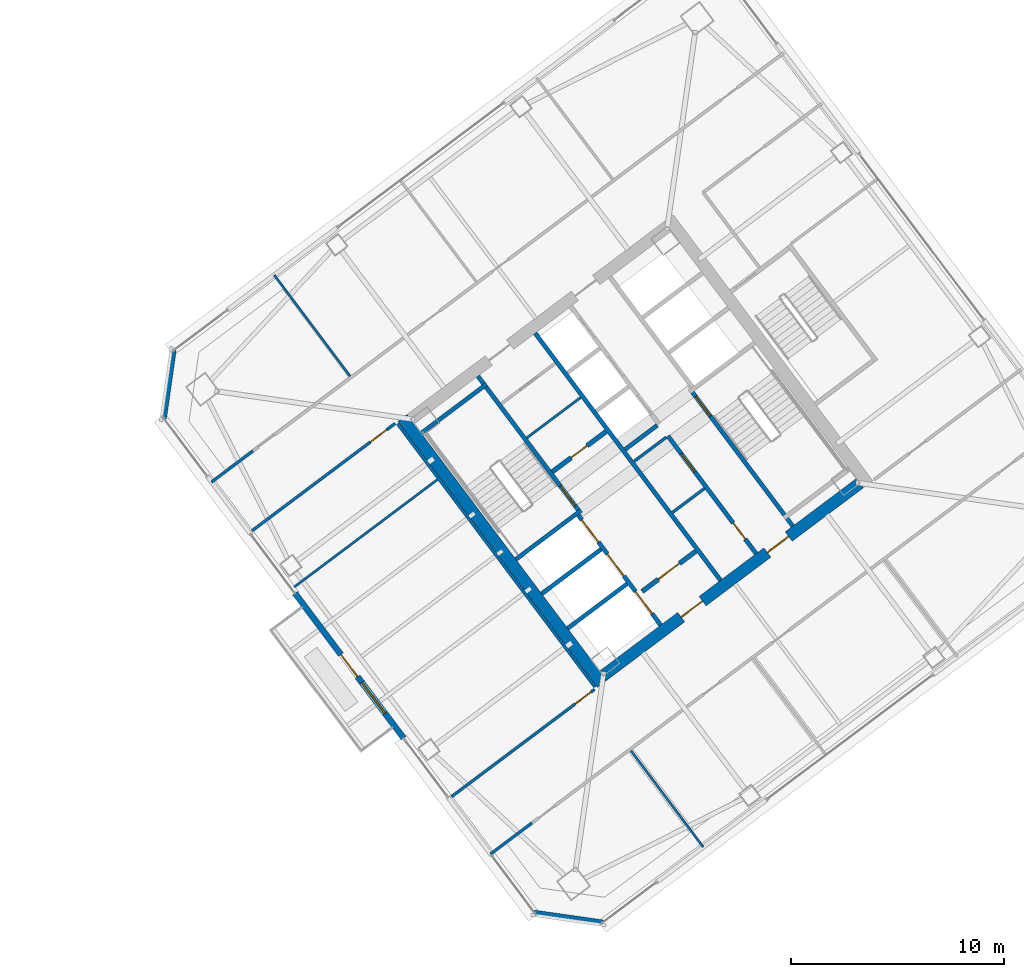
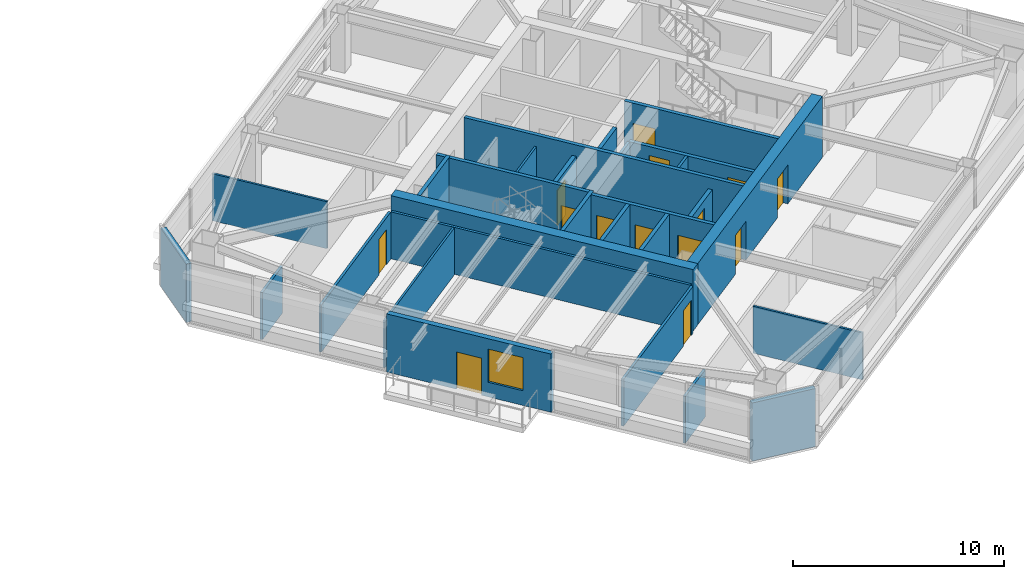
# One storey, part 33 of 41: 28 walls, 14 doors, 1 window, 15 openings.
"""IFC4 building model written with IfcOpenShell, lengths in metres."""

from ifc_helpers import new_model, si_unit, direction, frame, frame_2d, origin, place, context, subcontext, project, spatial, rectangle, extrude, material, layer, layer_set, type_object, element, fill, save


model = new_model("IFC4")

# Units and contexts
model_context = context("Model", 3, precision=1e-05, world=origin(), true_north=direction((0.0, 1.0)))
body_context = subcontext(model_context, "Body", "Model", "MODEL_VIEW")
ifc_project = project(units=[si_unit("LENGTHUNIT", "METRE"), si_unit("AREAUNIT", "SQUARE_METRE"), si_unit("VOLUMEUNIT", "CUBIC_METRE"), si_unit("PLANEANGLEUNIT", "RADIAN"), si_unit("MASSUNIT", "GRAM", prefix="KILO")], contexts=[model_context])

# Site, building, storey
site_placement = place(None, origin())
site = spatial("IfcSite", under=ifc_project, at=site_placement, CompositionType="ELEMENT")
building_placement = place(site_placement, origin())
building = spatial("IfcBuilding", under=site, at=building_placement, Name="Tashvorn Skyway Center", CompositionType="ELEMENT")
storey_placement = place(building_placement, frame((0.0, 0.0, 171.199951171875)))
storey = spatial("IfcBuildingStorey", under=building, at=storey_placement, Name="L46", CompositionType="ELEMENT", Elevation=171.199951171875)

# Wall
ifc_material_1 = material(Name="Concrete C60/75", Category="concrete")
ifc_layer_1 = layer(ifc_material_1, 0.550048828125)
ifc_layer_set_1 = layer_set([ifc_layer_1], Name="Concrete C60/75")
wall_type_1 = type_object("IfcWallType", Name="WALL-CORE-550", PredefinedType="SHEAR", material=ifc_layer_set_1)
wall_1_placement = place(storey_placement, frame((112.43603515625, 21.076904296875, 0.0), z_axis=(0.0, 0.0, 1.0), x_axis=(-0.600005007985, 0.799996243986, 0.0)))
element("IfcWall", 1, at=wall_1_placement, inside=storey, type_object=wall_type_1, Name="Tower 2 L46 West Core Shear Wall", PredefinedType="SHEAR", context=body_context, shape_type="SweptSolid", body=[
    extrude(rectangle(XDim=15.60009765625, YDim=0.550048828125, at=frame_2d((7.800048828125, 0.0))), origin(), (0.0, 0.0, 1.0), 3.550048828125),
])

# Wall, openings, doors
wall_2_placement = place(storey_placement, frame((124.5390625, 30.498046875, 0.0), z_axis=(0.0, 0.0, 1.0), x_axis=(-0.799998054672, -0.600002593761, 0.0)))
wall_2 = element("IfcWall", 2, at=wall_2_placement, inside=storey, type_object=wall_type_1, Name="Tower 2 L46 South Core Shear Wall", PredefinedType="SHEAR", context=body_context, shape_type="SweptSolid", body=[
    extrude(rectangle(XDim=15.06005859375, YDim=0.550048828125, at=frame_2d((7.530029296875, 0.0))), origin(), (0.0, 0.0, 1.0), 3.550048828125),
])
opening_1_placement = place(wall_2_placement, frame((9.22998046875, 0.0, 0.0)))
opening_1 = element("IfcOpeningElement", 3, at=opening_1_placement, cuts=wall_2, Name="Opening D-FFL-1250", PredefinedType="OPENING", context=body_context, shape_type="SweptSolid", body=[
    extrude(rectangle(XDim=1.25, YDim=2.25, at=frame_2d((0.625, 1.125))), frame((0.0, 0.284912109375, 0.0), z_axis=(0.0, -1.0, 0.0), x_axis=(1.0, 0.0, 0.0)), (0.0, 0.0, 1.0), 0.570068359375),
])
opening_2_placement = place(wall_2_placement, frame((4.179931640625, 0.0, 0.0)))
opening_2 = element("IfcOpeningElement", 4, at=opening_2_placement, cuts=wall_2, Name="Opening D-FFL-1250", PredefinedType="OPENING", context=body_context, shape_type="SweptSolid", body=[
    extrude(rectangle(XDim=1.25, YDim=2.25, at=frame_2d((0.625, 1.125))), frame((0.0, 0.284912109375, 0.0), z_axis=(0.0, -1.0, 0.0), x_axis=(1.0, 0.0, 0.0)), (0.0, 0.0, 1.0), 0.570068359375),
])
ifc_material_2 = material(Name="Hollow galvanized steel fire door assembly", Category="steel")
door_type_1 = type_object("IfcDoorType", Name="DOOR-FFL-1250", OperationType="NOTDEFINED", PredefinedType="DOOR", material=ifc_material_2)
door_1_placement = place(opening_1_placement, origin())
door_1 = element("IfcDoor", 5, at=door_1_placement, inside=storey, type_object=door_type_1, Name="Tower 2 L46 Core South Firefighting Exit Door", OperationType="SINGLE_SWING_LEFT", OverallHeight=2.25, OverallWidth=1.25, PredefinedType="DOOR", context=body_context, shape_type="SweptSolid", body=[
    extrude(rectangle(XDim=1.25, YDim=2.25, at=frame_2d((0.625, 1.125))), frame((0.0, 0.02490234375, 0.0), z_axis=(0.0, -1.0, 0.0), x_axis=(1.0, 0.0, 0.0)), (0.0, 0.0, 1.0), 0.050048828125),
])
fill(opening_1, door_1)
door_2_placement = place(opening_2_placement, origin())
door_2 = element("IfcDoor", 6, at=door_2_placement, inside=storey, type_object=door_type_1, Name="Tower 2 L46 Core South Lift Lobby Door", OperationType="SINGLE_SWING_RIGHT", OverallHeight=2.25, OverallWidth=1.25, PredefinedType="DOOR", context=body_context, shape_type="SweptSolid", body=[
    extrude(rectangle(XDim=1.25, YDim=2.25, at=frame_2d((0.625, 1.125))), frame((0.0, 0.02490234375, 0.0), z_axis=(0.0, -1.0, 0.0), x_axis=(1.0, 0.0, 0.0)), (0.0, 0.0, 1.0), 0.050048828125),
])
fill(opening_2, door_2)

# Wall, openings, door, window
ifc_material_3 = material(Name="Precast concrete C40/50", Category="concrete")
ifc_layer_2 = layer(ifc_material_3, 0.280029296875)
ifc_layer_set_2 = layer_set([ifc_layer_2], Name="Precast concrete C40/50")
wall_type_2 = type_object("IfcWallType", Name="WALL-EXT-280", PredefinedType="SOLIDWALL", material=ifc_layer_set_2)
wall_3_placement = place(storey_placement, frame((103.1259765625, 18.531982421875, 0.0), z_axis=(0.0, 0.0, 1.0), x_axis=(-0.600004595526, 0.799996553335, 0.0)))
wall_3 = element("IfcWall", 7, at=wall_3_placement, inside=storey, type_object=wall_type_2, Name="Tower 2 L46 West Terrace Portal Wall", PredefinedType="SOLIDWALL", context=body_context, shape_type="SweptSolid", body=[
    extrude(rectangle(XDim=8.5, YDim=0.280029296875, at=frame_2d((4.25, 0.0))), origin(), (0.0, 0.0, 1.0), 3.3701171875),
])
opening_3_placement = place(wall_3_placement, frame((3.60009765625, 0.0, 0.0)))
opening_3 = element("IfcOpeningElement", 8, at=opening_3_placement, cuts=wall_3, Name="Opening D-TER-1300", PredefinedType="OPENING", context=body_context, shape_type="SweptSolid", body=[
    extrude(rectangle(XDim=1.300048828125, YDim=2.14990234375, at=frame_2d((0.64990234375, 1.074951171875))), frame((0.0, 0.14990234375, 0.0), z_axis=(0.0, -1.0, 0.0), x_axis=(1.0, 0.0, 0.0)), (0.0, 0.0, 1.0), 0.300048828125),
])
opening_4_placement = place(wall_3_placement, frame((1.4599609375, 0.0, 0.85009765625)))
opening_4 = element("IfcOpeningElement", 9, at=opening_4_placement, cuts=wall_3, Name="Opening WIN-1800", PredefinedType="OPENING", context=body_context, shape_type="SweptSolid", body=[
    extrude(rectangle(XDim=1.800048828125, YDim=1.919921875, at=frame_2d((0.89990234375, 0.9599609375))), frame((0.0, 0.14990234375, 0.0), z_axis=(0.0, -1.0, 0.0), x_axis=(1.0, 0.0, 0.0)), (0.0, 0.0, 1.0), 0.300048828125),
])
ifc_material_4 = material(Name="Thermally broken bronze-anodized aluminium 6063-T6", Category="aluminium")
door_type_2 = type_object("IfcDoorType", Name="DOOR-TERR-1300", OperationType="NOTDEFINED", PredefinedType="DOOR", material=ifc_material_4)
door_3_placement = place(opening_3_placement, origin())
door_3 = element("IfcDoor", 10, at=door_3_placement, inside=storey, type_object=door_type_2, Name="Tower 2 L46 Terrace Access Door", OperationType="SINGLE_SWING_LEFT", OverallHeight=2.14990234375, OverallWidth=1.300048828125, PredefinedType="DOOR", context=body_context, shape_type="SweptSolid", body=[
    extrude(rectangle(XDim=1.300048828125, YDim=2.14990234375, at=frame_2d((0.64990234375, 1.074951171875))), frame((0.0, 0.02490234375, 0.0), z_axis=(0.0, -1.0, 0.0), x_axis=(1.0, 0.0, 0.0)), (0.0, 0.0, 1.0), 0.050048828125),
])
fill(opening_3, door_3)
ifc_material_5 = material(Name="Low-E solar-control double insulating safety glass", Category="glass")
window_type = type_object("IfcWindowType", Name="WIN-TERR-1800", PartitioningType="SINGLE_PANEL", PredefinedType="WINDOW", material=ifc_material_5)
window_placement = place(opening_4_placement, origin())
window = element("IfcWindow", 11, at=window_placement, inside=storey, type_object=window_type, Name="Tower 2 L46 Terrace Window", OverallHeight=1.919921875, OverallWidth=1.800048828125, PartitioningType="SINGLE_PANEL", PredefinedType="WINDOW", context=body_context, shape_type="SweptSolid", body=[
    extrude(rectangle(XDim=1.800048828125, YDim=1.919921875, at=frame_2d((0.89990234375, 0.9599609375))), frame((0.0, 0.030029296875, 0.0), z_axis=(0.0, -1.0, 0.0), x_axis=(1.0, 0.0, 0.0)), (0.0, 0.0, 1.0), 0.06005859375),
])
fill(opening_4, window)

# Walls
for number, where, z_axis, x_axis, name in (
    (12, (112.47998046875, 9.860107421875, 0.0), (0.0, 0.0, 1.0), (-0.989950994782, 0.141410847992, 0.0), "Tower 2 L46 SW Precast Chamfer Wall"),
    (13, (91.860107421875, 33.52001953125, 0.0), (0.0, 0.0, 1.0), (0.141410847992, 0.989950994782, 0.0), "Tower 2 L46 NW Precast Chamfer Wall"),
):
    element("IfcWall", number, at=place(storey_placement, frame(where, z_axis=z_axis, x_axis=x_axis)), inside=storey, type_object=wall_type_2, Name=name, PredefinedType="SOLIDWALL", context=body_context, shape_type="SweptSolid", body=[
        extrude(rectangle(XDim=3.252685546875, YDim=0.280029296875, at=frame_2d((1.62646484375, 0.0))), origin(), (0.0, 0.0, 1.0), 3.3701171875),
    ])

# Wall, opening, door
ifc_material_6 = material(Name="Concrete C40/50", Category="concrete")
ifc_layer_3 = layer(ifc_material_6, 0.219970703125)
ifc_layer_set_3 = layer_set([ifc_layer_3], Name="Concrete C40/50")
wall_type_3 = type_object("IfcWallType", Name="WALL-FFL-220", PredefinedType="SOLIDWALL", material=ifc_layer_set_3)
wall_4_placement = place(storey_placement, frame((110.10400390625, 31.028076171875, 0.0), z_axis=(0.0, 0.0, 1.0), x_axis=(0.800018601094, 0.59997519774, 0.0)))
wall_4 = element("IfcWall", 14, at=wall_4_placement, inside=storey, type_object=wall_type_3, Name="Tower 2 L46 Firefighting Lobby North Wall", PredefinedType="SOLIDWALL", context=body_context, shape_type="SweptSolid", body=[
    extrude(rectangle(XDim=3.14990234375, YDim=0.219970703125, at=frame_2d((1.574951171875, 0.0))), origin(), (0.0, 0.0, 1.0), 2.72314453125),
])
opening_5_placement = place(wall_4_placement, frame((1.10009765625, 0.0, 0.0)))
opening_5 = element("IfcOpeningElement", 15, at=opening_5_placement, cuts=wall_4, Name="Opening D-RT-950", PredefinedType="OPENING", context=body_context, shape_type="SweptSolid", body=[
    extrude(rectangle(XDim=0.949951171875, YDim=2.050048828125, at=frame_2d((0.47509765625, 1.02490234375))), frame((0.0, 0.119873046875, 0.0), z_axis=(0.0, -1.0, 0.0), x_axis=(1.0, 0.0, 0.0)), (0.0, 0.0, 1.0), 0.239990234375),
])
door_type_3 = type_object("IfcDoorType", Name="DOOR-RATED-950", OperationType="NOTDEFINED", PredefinedType="DOOR", material=ifc_material_2)
door_4_placement = place(opening_5_placement, origin())
door_4 = element("IfcDoor", 16, at=door_4_placement, inside=storey, type_object=door_type_3, Name="Tower 2 L46 Core Linen Store Door", OperationType="SINGLE_SWING_LEFT", OverallHeight=2.050048828125, OverallWidth=0.949951171875, PredefinedType="DOOR", context=body_context, shape_type="SweptSolid", body=[
    extrude(rectangle(XDim=0.949951171875, YDim=2.050048828125, at=frame_2d((0.47509765625, 1.02490234375))), frame((0.0, 0.02490234375, 0.0), z_axis=(0.0, -1.0, 0.0), x_axis=(1.0, 0.0, 0.0)), (0.0, 0.0, 1.0), 0.050048828125),
])
fill(opening_5, door_4)

wall_5_placement = place(storey_placement, frame((114.31591796875, 25.412109375, 0.0), z_axis=(0.0, 0.0, 1.0), x_axis=(0.800018601094, 0.59997519774, 0.0)))
wall_5 = element("IfcWall", 17, at=wall_5_placement, inside=storey, type_object=wall_type_3, Name="Tower 2 L46 Firefighting Lobby South Wall", PredefinedType="SOLIDWALL", context=body_context, shape_type="SweptSolid", body=[
    extrude(rectangle(XDim=3.14990234375, YDim=0.219970703125, at=frame_2d((1.574951171875, 0.0))), origin(), (0.0, 0.0, 1.0), 2.72314453125),
])
opening_6_placement = place(wall_5_placement, frame((0.949951171875, 0.0, 0.0)))
opening_6 = element("IfcOpeningElement", 18, at=opening_6_placement, cuts=wall_5, Name="Opening D-FFL-1250", PredefinedType="OPENING", context=body_context, shape_type="SweptSolid", body=[
    extrude(rectangle(XDim=1.25, YDim=2.25, at=frame_2d((0.625, 1.125))), frame((0.0, 0.119873046875, 0.0), z_axis=(0.0, -1.0, 0.0), x_axis=(1.0, 0.0, 0.0)), (0.0, 0.0, 1.0), 0.239990234375),
])
door_5_placement = place(opening_6_placement, origin())
door_5 = element("IfcDoor", 19, at=door_5_placement, inside=storey, type_object=door_type_1, Name="Tower 2 L46 Firefighting Lobby Egress Door", OperationType="SINGLE_SWING_LEFT", OverallHeight=2.25, OverallWidth=1.25, PredefinedType="DOOR", context=body_context, shape_type="SweptSolid", body=[
    extrude(rectangle(XDim=1.25, YDim=2.25, at=frame_2d((0.625, 1.125))), frame((0.0, 0.02490234375, 0.0), z_axis=(0.0, -1.0, 0.0), x_axis=(1.0, 0.0, 0.0)), (0.0, 0.0, 1.0), 0.050048828125),
])
fill(opening_6, door_5)

# Walls
ifc_material_7 = material(Name="Gypsum board on cold-formed steel stud framing", Category="steel")
ifc_layer_4 = layer(ifc_material_7, 0.110107421875)
ifc_layer_set_4 = layer_set([ifc_layer_4], Name="Gypsum board on cold-formed steel stud framing")
wall_type_4 = type_object("IfcWallType", Name="WALL-PART-110", PredefinedType="PARTITIONING", material=ifc_layer_set_4)
wall_6_placement = place(storey_placement, frame((100.610107421875, 35.52001953125, 0.0), z_axis=(0.0, 0.0, 1.0), x_axis=(-0.600019761686, 0.799985178354, 0.0)))
element("IfcWall", 20, at=wall_6_placement, inside=storey, type_object=wall_type_4, Name="Tower 2 L46 North Suite Partition 1", PredefinedType="PARTITIONING", context=body_context, shape_type="SweptSolid", body=[
    extrude(rectangle(XDim=5.929931640625, YDim=0.110107421875, at=frame_2d((2.96484375, 0.0))), origin(), (0.0, 0.0, 1.0), 2.72314453125),
])
wall_7_placement = place(storey_placement, frame((117.18798828125, 13.416015625, 0.0), z_axis=(0.0, 0.0, 1.0), x_axis=(-0.599986172357, 0.800010370545, 0.0)))
element("IfcWall", 21, at=wall_7_placement, inside=storey, type_object=wall_type_4, Name="Tower 2 L46 South Suite Partition 1", PredefinedType="PARTITIONING", context=body_context, shape_type="SweptSolid", body=[
    extrude(rectangle(XDim=5.64990234375, YDim=0.110107421875, at=frame_2d((2.824951171875, 0.0))), origin(), (0.0, 0.0, 1.0), 2.72314453125),
])
wall_8_placement = place(storey_placement, frame((97.99609375, 25.6220703125, 0.0), z_axis=(0.0, 0.0, 1.0), x_axis=(0.8, 0.6, 0.0)))
element("IfcWall", 22, at=wall_8_placement, inside=storey, type_object=wall_type_4, Name="Tower 2 L46 West Mid Partition", PredefinedType="PARTITIONING", context=body_context, shape_type="SweptSolid", body=[
    extrude(rectangle(XDim=8.389892578125, YDim=0.110107421875, at=frame_2d((4.19482421875, 0.0))), origin(), (0.0, 0.0, 1.0), 2.72314453125),
])
ifc_layer_5 = layer(ifc_material_7, 0.135009765625)
ifc_layer_set_5 = layer_set([ifc_layer_5], Name="Gypsum board on cold-formed steel stud framing")
wall_type_5 = type_object("IfcWallType", Name="WALL-PART-135", PredefinedType="PARTITIONING", material=ifc_layer_set_5)
wall_9_placement = place(storey_placement, frame((94.114013671875, 30.548095703125, 0.0), z_axis=(0.0, 0.0, 1.0), x_axis=(0.800012055778, 0.599983925293, 0.0)))
element("IfcWall", 23, at=wall_9_placement, inside=storey, type_object=wall_type_5, Name="Tower 2 L46 North-West Suite South Wall", PredefinedType="PARTITIONING", context=body_context, shape_type="SweptSolid", body=[
    extrude(rectangle(XDim=2.43017578125, YDim=0.135009765625, at=frame_2d((1.215087890625, 0.0))), origin(), (0.0, 0.0, 1.0), 2.72314453125),
])
wall_10_placement = place(storey_placement, frame((107.2060546875, 13.092041015625, 0.0), z_axis=(0.0, 0.0, 1.0), x_axis=(0.799975885537, 0.600032151272, 0.0)))
element("IfcWall", 24, at=wall_10_placement, inside=storey, type_object=wall_type_5, Name="Tower 2 L46 South-West Suite North Wall", PredefinedType="PARTITIONING", context=body_context, shape_type="SweptSolid", body=[
    extrude(rectangle(XDim=2.429931640625, YDim=0.135009765625, at=frame_2d((1.21484375, 0.0))), origin(), (0.0, 0.0, 1.0), 2.72314453125),
])
wall_11_placement = place(storey_placement, frame((112.10400390625, 20.927978515625, 0.0), z_axis=(0.0, 0.0, 1.0), x_axis=(-0.599994940075, 0.800003794918, 0.0)))
element("IfcWall", 25, at=wall_11_placement, inside=storey, type_object=wall_type_5, Name="Tower 2 L46 West Inner Suite Wall", PredefinedType="PARTITIONING", context=body_context, shape_type="SweptSolid", body=[
    extrude(rectangle(XDim=15.43994140625, YDim=0.135009765625, at=frame_2d((7.719970703125, 0.0))), origin(), (0.0, 0.0, 1.0), 2.72314453125),
])

# Wall, opening, door
wall_12_placement = place(storey_placement, frame((102.72802734375, 33.2958984375, 0.0), z_axis=(0.0, 0.0, 1.0), x_axis=(-0.8, -0.6, 0.0)))
wall_12 = element("IfcWall", 26, at=wall_12_placement, inside=storey, type_object=wall_type_5, Name="Tower 2 L46 West Suite North Wall", PredefinedType="PARTITIONING", context=body_context, shape_type="SweptSolid", body=[
    extrude(rectangle(XDim=8.389892578125, YDim=0.135009765625, at=frame_2d((4.19482421875, 0.0))), origin(), (0.0, 0.0, 1.0), 2.72314453125),
])
opening_7_placement = place(wall_12_placement, frame((0.5, 0.0, 0.0)))
opening_7 = element("IfcOpeningElement", 27, at=opening_7_placement, cuts=wall_12, Name="Opening D-INT-950", PredefinedType="OPENING", context=body_context, shape_type="SweptSolid", body=[
    extrude(rectangle(XDim=0.949951171875, YDim=2.050048828125, at=frame_2d((0.47509765625, 1.02490234375))), frame((0.0, 0.077392578125, 0.0), z_axis=(0.0, -1.0, 0.0), x_axis=(1.0, 0.0, 0.0)), (0.0, 0.0, 1.0), 0.155029296875),
])
ifc_material_8 = material(Name="Solid-core architectural oak veneer door")
door_type_4 = type_object("IfcDoorType", Name="DOOR-INT-950", OperationType="NOTDEFINED", PredefinedType="DOOR", material=ifc_material_8)
door_6_placement = place(opening_7_placement, origin())
door_6 = element("IfcDoor", 28, at=door_6_placement, inside=storey, type_object=door_type_4, Name="Tower 2 L46 Catering Pantry Door", OperationType="SINGLE_SWING_RIGHT", OverallHeight=2.050048828125, OverallWidth=0.949951171875, PredefinedType="DOOR", context=body_context, shape_type="SweptSolid", body=[
    extrude(rectangle(XDim=0.949951171875, YDim=2.050048828125, at=frame_2d((0.47509765625, 1.02490234375))), frame((0.0, 0.02490234375, 0.0), z_axis=(0.0, -1.0, 0.0), x_axis=(1.0, 0.0, 0.0)), (0.0, 0.0, 1.0), 0.050048828125),
])
fill(opening_7, door_6)

wall_13_placement = place(storey_placement, frame((105.3759765625, 15.781982421875, 0.0), z_axis=(0.0, 0.0, 1.0), x_axis=(0.8, 0.6, 0.0)))
wall_13 = element("IfcWall", 29, at=wall_13_placement, inside=storey, type_object=wall_type_5, Name="Tower 2 L46 West Suite South Wall", PredefinedType="PARTITIONING", context=body_context, shape_type="SweptSolid", body=[
    extrude(rectangle(XDim=8.389892578125, YDim=0.135009765625, at=frame_2d((4.19482421875, 0.0))), origin(), (0.0, 0.0, 1.0), 2.72314453125),
])
opening_8_placement = place(wall_13_placement, frame((7.22998046875, 0.0, 0.0)))
opening_8 = element("IfcOpeningElement", 30, at=opening_8_placement, cuts=wall_13, Name="Opening D-INT-950", PredefinedType="OPENING", context=body_context, shape_type="SweptSolid", body=[
    extrude(rectangle(XDim=0.949951171875, YDim=2.050048828125, at=frame_2d((0.47509765625, 1.02490234375))), frame((0.0, 0.077392578125, 0.0), z_axis=(0.0, -1.0, 0.0), x_axis=(1.0, 0.0, 0.0)), (0.0, 0.0, 1.0), 0.155029296875),
])
door_7_placement = place(opening_8_placement, origin())
door_7 = element("IfcDoor", 31, at=door_7_placement, inside=storey, type_object=door_type_4, Name="Tower 2 L46 Public Restroom Door", OperationType="SINGLE_SWING_LEFT", OverallHeight=2.050048828125, OverallWidth=0.949951171875, PredefinedType="DOOR", context=body_context, shape_type="SweptSolid", body=[
    extrude(rectangle(XDim=0.949951171875, YDim=2.050048828125, at=frame_2d((0.47509765625, 1.02490234375))), frame((0.0, 0.02490234375, 0.0), z_axis=(0.0, -1.0, 0.0), x_axis=(1.0, 0.0, 0.0)), (0.0, 0.0, 1.0), 0.050048828125),
])
fill(opening_8, door_7)

# Walls
ifc_layer_6 = layer(ifc_material_7, 0.110107421875)
ifc_layer_set_6 = layer_set([ifc_layer_6], Name="Gypsum board on cold-formed steel stud framing")
wall_type_6 = type_object("IfcWallType", Name="WALL-RATED-110", PredefinedType="PARTITIONING", material=ifc_layer_set_6)
wall_14_placement = place(storey_placement, frame((108.909912109375, 32.6201171875, 0.0), z_axis=(0.0, 0.0, 1.0), x_axis=(0.800018601094, 0.59997519774, 0.0)))
element("IfcWall", 32, at=wall_14_placement, inside=storey, type_object=wall_type_6, Name="Tower 2 L46 Core Transverse Wall", PredefinedType="PARTITIONING", context=body_context, shape_type="SweptSolid", body=[
    extrude(rectangle(XDim=3.14990234375, YDim=0.110107421875, at=frame_2d((1.574951171875, 0.0))), origin(), (0.0, 0.0, 1.0), 2.72314453125),
])
ifc_layer_7 = layer(ifc_material_7, 0.135009765625)
ifc_layer_set_7 = layer_set([ifc_layer_7], Name="Gypsum board on cold-formed steel stud framing")
wall_type_7 = type_object("IfcWallType", Name="WALL-RATED-135", PredefinedType="PARTITIONING", material=ifc_layer_set_7)
for number, where, z_axis, x_axis, name in (
    (33, (113.946044921875, 31.52197265625, 0.0), (0.0, 0.0, 1.0), (0.8, 0.6, 0.0), "Tower 2 L46 Core Room Partition"),
    (34, (115.74609375, 29.1220703125, 0.0), (0.0, 0.0, 1.0), (0.8, 0.6, 0.0), "Tower 2 L46 Freed Core Partition"),
):
    element("IfcWall", number, at=place(storey_placement, frame(where, z_axis=z_axis, x_axis=x_axis)), inside=storey, type_object=wall_type_7, Name=name, PredefinedType="PARTITIONING", context=body_context, shape_type="SweptSolid", body=[
        extrude(rectangle(XDim=1.8798828125, YDim=0.135009765625, at=frame_2d((0.93994140625, 0.0))), origin(), (0.0, 0.0, 1.0), 2.72314453125),
    ])
ifc_layer_8 = layer(ifc_material_6, 0.199951171875)
ifc_layer_set_8 = layer_set([ifc_layer_8], Name="Concrete C40/50")
wall_type_8 = type_object("IfcWallType", Name="WALL-SHAFT-200", PredefinedType="SOLIDWALL", material=ifc_layer_set_8)
for number, where, z_axis, x_axis, name in (
    (35, (110.825927734375, 23.681884765625, 0.0), (0.0, 0.0, 1.0), (0.8, 0.6, 0.0), "Tower 2 L46 FSAE Shaft Divider"),
    (36, (109.60791015625, 25.305908203125, 0.0), (0.0, 0.0, 1.0), (0.8, 0.6, 0.0), "Tower 2 L46 FSAE Shaft Divider"),
):
    element("IfcWall", number, at=place(storey_placement, frame(where, z_axis=z_axis, x_axis=x_axis)), inside=storey, type_object=wall_type_8, Name=name, PredefinedType="SOLIDWALL", context=body_context, shape_type="SweptSolid", body=[
        extrude(rectangle(XDim=3.480224609375, YDim=0.199951171875, at=frame_2d((1.740234375, 0.0))), origin(), (0.0, 0.0, 1.0), 3.3701171875),
    ])

# Wall, openings, doors
wall_15_placement = place(storey_placement, frame((119.669921875, 27.18994140625, 0.0), z_axis=(0.0, 0.0, 1.0), x_axis=(-0.599988677396, 0.800008491828, 0.0)))
wall_15 = element("IfcWall", 37, at=wall_15_placement, inside=storey, type_object=wall_type_8, Name="Tower 2 L46 Low-Rise Core Wall", PredefinedType="SOLIDWALL", context=body_context, shape_type="SweptSolid", body=[
    extrude(rectangle(XDim=6.89990234375, YDim=0.199951171875, at=frame_2d((3.449951171875, 0.0))), origin(), (0.0, 0.0, 1.0), 2.72314453125),
])
opening_9_placement = place(wall_15_placement, frame((0.85009765625, 0.0, 0.0)))
opening_9 = element("IfcOpeningElement", 38, at=opening_9_placement, cuts=wall_15, Name="Opening D-RT-950", PredefinedType="OPENING", context=body_context, shape_type="SweptSolid", body=[
    extrude(rectangle(XDim=0.949951171875, YDim=2.050048828125, at=frame_2d((0.47509765625, 1.02490234375))), frame((0.0, 0.10986328125, 0.0), z_axis=(0.0, -1.0, 0.0), x_axis=(1.0, 0.0, 0.0)), (0.0, 0.0, 1.0), 0.219970703125),
])
opening_10_placement = place(wall_15_placement, frame((4.800048828125, 0.0, 0.0)))
opening_10 = element("IfcOpeningElement", 39, at=opening_10_placement, cuts=wall_15, Name="Opening D-RT-1050", PredefinedType="OPENING", context=body_context, shape_type="SweptSolid", body=[
    extrude(rectangle(XDim=1.050048828125, YDim=2.199951171875, at=frame_2d((0.52490234375, 1.10009765625))), frame((0.0, 0.10986328125, 0.0), z_axis=(0.0, -1.0, 0.0), x_axis=(1.0, 0.0, 0.0)), (0.0, 0.0, 1.0), 0.219970703125),
])
door_type_5 = type_object("IfcDoorType", Name="DOOR-RATED-1050", OperationType="NOTDEFINED", PredefinedType="DOOR", material=ifc_material_2)
door_8_placement = place(opening_10_placement, origin())
door_8 = element("IfcDoor", 40, at=door_8_placement, inside=storey, type_object=door_type_5, Name="Tower 2 L46 Freed Core Room Door", OperationType="SINGLE_SWING_RIGHT", OverallHeight=2.199951171875, OverallWidth=1.050048828125, PredefinedType="DOOR", context=body_context, shape_type="SweptSolid", body=[
    extrude(rectangle(XDim=1.050048828125, YDim=2.199951171875, at=frame_2d((0.52490234375, 1.10009765625))), frame((0.0, 0.02490234375, 0.0), z_axis=(0.0, -1.0, 0.0), x_axis=(1.0, 0.0, 0.0)), (0.0, 0.0, 1.0), 0.050048828125),
])
fill(opening_10, door_8)
door_9_placement = place(opening_9_placement, origin())
door_9 = element("IfcDoor", 41, at=door_9_placement, inside=storey, type_object=door_type_3, Name="Tower 2 L46 Core Print Room Door", OperationType="SINGLE_SWING_LEFT", OverallHeight=2.050048828125, OverallWidth=0.949951171875, PredefinedType="DOOR", context=body_context, shape_type="SweptSolid", body=[
    extrude(rectangle(XDim=0.949951171875, YDim=2.050048828125, at=frame_2d((0.47509765625, 1.02490234375))), frame((0.0, 0.02490234375, 0.0), z_axis=(0.0, -1.0, 0.0), x_axis=(1.0, 0.0, 0.0)), (0.0, 0.0, 1.0), 0.050048828125),
])
fill(opening_9, door_9)

# Wall
wall_16_placement = place(storey_placement, frame((113.52587890625, 32.08203125, 0.0), z_axis=(0.0, 0.0, 1.0), x_axis=(0.800046745961, 0.599937666993, 0.0)))
element("IfcWall", 42, at=wall_16_placement, inside=storey, type_object=wall_type_8, Name="Tower 2 L46 Mid-Rise Shaft Divider", PredefinedType="SOLIDWALL", context=body_context, shape_type="SweptSolid", body=[
    extrude(rectangle(XDim=1.880126953125, YDim=0.199951171875, at=frame_2d((0.93994140625, 0.0))), origin(), (0.0, 0.0, 1.0), 3.3701171875),
])

# Wall, opening, door
ifc_layer_9 = layer(ifc_material_6, 0.199951171875)
ifc_layer_set_9 = layer_set([ifc_layer_9], Name="Concrete C40/50")
wall_type_9 = type_object("IfcWallType", Name="WALL-STSHF-200", PredefinedType="SHEAR", material=ifc_layer_set_9)
wall_17_placement = place(storey_placement, frame((111.43994140625, 29.080078125, 0.0), z_axis=(0.0, 0.0, 1.0), x_axis=(-0.59999029481, 0.8000072788, 0.0)))
wall_17 = element("IfcWall", 43, at=wall_17_placement, inside=storey, type_object=wall_type_9, Name="Tower 2 L46 Stair 1 Enclosure Wall", PredefinedType="SHEAR", context=body_context, shape_type="SweptSolid", body=[
    extrude(rectangle(XDim=8.0498046875, YDim=0.199951171875, at=frame_2d((4.02490234375, 0.0))), origin(), (0.0, 0.0, 1.0), 3.3701171875),
])
opening_11_placement = place(wall_17_placement, frame((0.449951171875, 0.0, 0.0)))
opening_11 = element("IfcOpeningElement", 44, at=opening_11_placement, cuts=wall_17, Name="Opening D-ST-1150", PredefinedType="OPENING", context=body_context, shape_type="SweptSolid", body=[
    extrude(rectangle(XDim=1.14990234375, YDim=2.199951171875, at=frame_2d((0.574951171875, 1.10009765625))), frame((0.0, 0.10986328125, 0.0), z_axis=(0.0, -1.0, 0.0), x_axis=(1.0, 0.0, 0.0)), (0.0, 0.0, 1.0), 0.219970703125),
])
door_type_6 = type_object("IfcDoorType", Name="DOOR-STAIR-1150", OperationType="NOTDEFINED", PredefinedType="DOOR", material=ifc_material_2)
door_10_placement = place(opening_11_placement, origin())
door_10 = element("IfcDoor", 45, at=door_10_placement, inside=storey, type_object=door_type_6, Name="Tower 2 L46 Exit Stair 1 Door", OperationType="SINGLE_SWING_RIGHT", OverallHeight=2.199951171875, OverallWidth=1.14990234375, PredefinedType="DOOR", context=body_context, shape_type="SweptSolid", body=[
    extrude(rectangle(XDim=1.14990234375, YDim=2.199951171875, at=frame_2d((0.574951171875, 1.10009765625))), frame((0.0, 0.02490234375, 0.0), z_axis=(0.0, -1.0, 0.0), x_axis=(1.0, 0.0, 0.0)), (0.0, 0.0, 1.0), 0.050048828125),
])
fill(opening_11, door_10)

# Walls
for number, where, z_axis, x_axis, name in (
    (46, (108.39599609375, 26.922119140625, 0.0), (0.0, 0.0, 1.0), (0.800015298837, 0.599979601008, 0.0), "Tower 2 L46 Stair 1 South Wall"),
    (47, (103.9560546875, 32.842041015625, 0.0), (0.0, 0.0, 1.0), (0.800015298837, 0.599979601008, 0.0), "Tower 2 L46 Stair 1 North Wall"),
):
    element("IfcWall", number, at=place(storey_placement, frame(where, z_axis=z_axis, x_axis=x_axis)), inside=storey, type_object=wall_type_9, Name=name, PredefinedType="SHEAR", context=body_context, shape_type="SweptSolid", body=[
        extrude(rectangle(XDim=3.829833984375, YDim=0.199951171875, at=frame_2d((1.9150390625, 0.0))), origin(), (0.0, 0.0, 1.0), 3.3701171875),
    ])

# Wall, opening, door
wall_18_placement = place(storey_placement, frame((116.56005859375, 34.919921875, 0.0), z_axis=(0.0, 0.0, 1.0), x_axis=(0.59999029481, -0.8000072788, 0.0)))
wall_18 = element("IfcWall", 48, at=wall_18_placement, inside=storey, type_object=wall_type_9, Name="Tower 2 L46 Stair 2 Enclosure Wall", PredefinedType="SHEAR", context=body_context, shape_type="SweptSolid", body=[
    extrude(rectangle(XDim=8.0498046875, YDim=0.199951171875, at=frame_2d((4.02490234375, 0.0))), origin(), (0.0, 0.0, 1.0), 3.3701171875),
])
opening_12_placement = place(wall_18_placement, frame((0.449951171875, 0.0, 0.0)))
opening_12 = element("IfcOpeningElement", 49, at=opening_12_placement, cuts=wall_18, Name="Opening D-ST-1150", PredefinedType="OPENING", context=body_context, shape_type="SweptSolid", body=[
    extrude(rectangle(XDim=1.14990234375, YDim=2.199951171875, at=frame_2d((0.574951171875, 1.10009765625))), frame((0.0, 0.10986328125, 0.0), z_axis=(0.0, -1.0, 0.0), x_axis=(1.0, 0.0, 0.0)), (0.0, 0.0, 1.0), 0.219970703125),
])
door_11_placement = place(opening_12_placement, origin())
door_11 = element("IfcDoor", 50, at=door_11_placement, inside=storey, type_object=door_type_6, Name="Tower 2 L46 Exit Stair 2 Door", OperationType="SINGLE_SWING_RIGHT", OverallHeight=2.199951171875, OverallWidth=1.14990234375, PredefinedType="DOOR", context=body_context, shape_type="SweptSolid", body=[
    extrude(rectangle(XDim=1.14990234375, YDim=2.199951171875, at=frame_2d((0.574951171875, 1.10009765625))), frame((0.0, 0.02490234375, 0.0), z_axis=(0.0, -1.0, 0.0), x_axis=(1.0, 0.0, 0.0)), (0.0, 0.0, 1.0), 0.050048828125),
])
fill(opening_12, door_11)

# Wall
wall_19_placement = place(storey_placement, frame((117.998046875, 25.93603515625, 0.0), z_axis=(0.0, 0.0, 1.0), x_axis=(-0.600002693989, 0.799997979501, 0.0)))
element("IfcWall", 51, at=wall_19_placement, inside=storey, type_object=wall_type_9, Name="Tower 2 L46 Firefighting Lobby East Smoke Barrier", PredefinedType="SHEAR", context=body_context, shape_type="SweptSolid", body=[
    extrude(rectangle(XDim=14.499755859375, YDim=0.199951171875, at=frame_2d((7.25, 0.0))), origin(), (0.0, 0.0, 1.0), 3.3701171875),
])

# Wall, openings, doors
wall_20_placement = place(storey_placement, frame((115.18994140625, 23.830078125, 0.0), z_axis=(0.0, 0.0, 1.0), x_axis=(-0.599993943644, 0.800004542231, 0.0)))
wall_20 = element("IfcWall", 52, at=wall_20_placement, inside=storey, type_object=wall_type_9, Name="Tower 2 L46 FSAE and Goods Shaft Front Wall", PredefinedType="SHEAR", context=body_context, shape_type="SweptSolid", body=[
    extrude(rectangle(XDim=6.449951171875, YDim=0.199951171875, at=frame_2d((3.22509765625, 0.0))), origin(), (0.0, 0.0, 1.0), 3.3701171875),
])
opening_13_placement = place(wall_20_placement, frame((4.875, 0.0, 0.0)))
opening_13 = element("IfcOpeningElement", 53, at=opening_13_placement, cuts=wall_20, Name="Opening LD-FF-T2-1-L46", PredefinedType="OPENING", context=body_context, shape_type="SweptSolid", body=[
    extrude(rectangle(XDim=1.300048828125, YDim=2.25, at=frame_2d((0.64990234375, 1.125))), frame((0.0, 0.10986328125, 0.0), z_axis=(0.0, -1.0, 0.0), x_axis=(1.0, 0.0, 0.0)), (0.0, 0.0, 1.0), 0.219970703125),
])
opening_14_placement = place(wall_20_placement, frame((2.875, 0.0, 0.0)))
opening_14 = element("IfcOpeningElement", 54, at=opening_14_placement, cuts=wall_20, Name="Opening LD-FF-T2-2-L46", PredefinedType="OPENING", context=body_context, shape_type="SweptSolid", body=[
    extrude(rectangle(XDim=1.300048828125, YDim=2.25, at=frame_2d((0.64990234375, 1.125))), frame((0.0, 0.10986328125, 0.0), z_axis=(0.0, -1.0, 0.0), x_axis=(1.0, 0.0, 0.0)), (0.0, 0.0, 1.0), 0.219970703125),
])
opening_15_placement = place(wall_20_placement, frame((0.675048828125, 0.0, 0.0)))
opening_15 = element("IfcOpeningElement", 55, at=opening_15_placement, cuts=wall_20, Name="Opening LD-GD-T2-1-L46", PredefinedType="OPENING", context=body_context, shape_type="SweptSolid", body=[
    extrude(rectangle(XDim=1.300048828125, YDim=2.25, at=frame_2d((0.64990234375, 1.125))), frame((0.0, 0.10986328125, 0.0), z_axis=(0.0, -1.0, 0.0), x_axis=(1.0, 0.0, 0.0)), (0.0, 0.0, 1.0), 0.219970703125),
])
ifc_material_9 = material(Name="Stainless steel heavy-duty landing door", Category="steel")
door_type_7 = type_object("IfcDoorType", Name="DOOR-LIFT-1300", OperationType="SLIDING_TO_LEFT", PredefinedType="DOOR", material=ifc_material_9)
door_12_placement = place(opening_13_placement, origin())
door_12 = element("IfcDoor", 56, at=door_12_placement, inside=storey, type_object=door_type_7, Name="Lift FF-T2-1 L46 Landing Door", OperationType="SLIDING_TO_LEFT", OverallHeight=2.25, OverallWidth=1.300048828125, PredefinedType="DOOR", context=body_context, shape_type="SweptSolid", body=[
    extrude(rectangle(XDim=1.300048828125, YDim=2.25, at=frame_2d((0.64990234375, 1.125))), frame((0.0, 0.02490234375, 0.0), z_axis=(0.0, -1.0, 0.0), x_axis=(1.0, 0.0, 0.0)), (0.0, 0.0, 1.0), 0.050048828125),
])
fill(opening_13, door_12)
door_13_placement = place(opening_14_placement, origin())
door_13 = element("IfcDoor", 57, at=door_13_placement, inside=storey, type_object=door_type_7, Name="Lift FF-T2-2 L46 Landing Door", OperationType="SLIDING_TO_LEFT", OverallHeight=2.25, OverallWidth=1.300048828125, PredefinedType="DOOR", context=body_context, shape_type="SweptSolid", body=[
    extrude(rectangle(XDim=1.300048828125, YDim=2.25, at=frame_2d((0.64990234375, 1.125))), frame((0.0, 0.02490234375, 0.0), z_axis=(0.0, -1.0, 0.0), x_axis=(1.0, 0.0, 0.0)), (0.0, 0.0, 1.0), 0.050048828125),
])
fill(opening_14, door_13)
door_14_placement = place(opening_15_placement, origin())
door_14 = element("IfcDoor", 58, at=door_14_placement, inside=storey, type_object=door_type_7, Name="Lift GD-T2-1 L46 Landing Door", OperationType="SLIDING_TO_LEFT", OverallHeight=2.25, OverallWidth=1.300048828125, PredefinedType="DOOR", context=body_context, shape_type="SweptSolid", body=[
    extrude(rectangle(XDim=1.300048828125, YDim=2.25, at=frame_2d((0.64990234375, 1.125))), frame((0.0, 0.02490234375, 0.0), z_axis=(0.0, -1.0, 0.0), x_axis=(1.0, 0.0, 0.0)), (0.0, 0.0, 1.0), 0.050048828125),
])
fill(opening_15, door_14)

save(model, "model.ifc")
